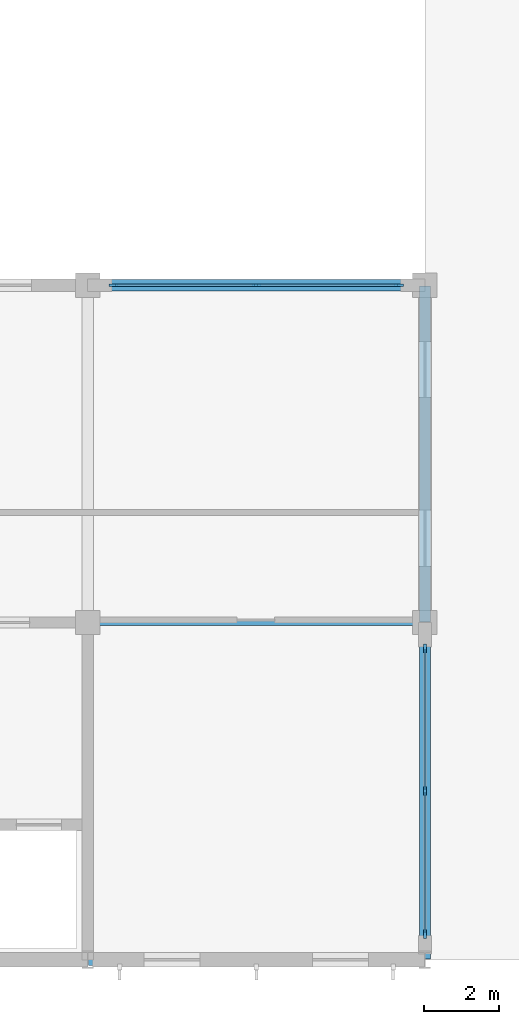
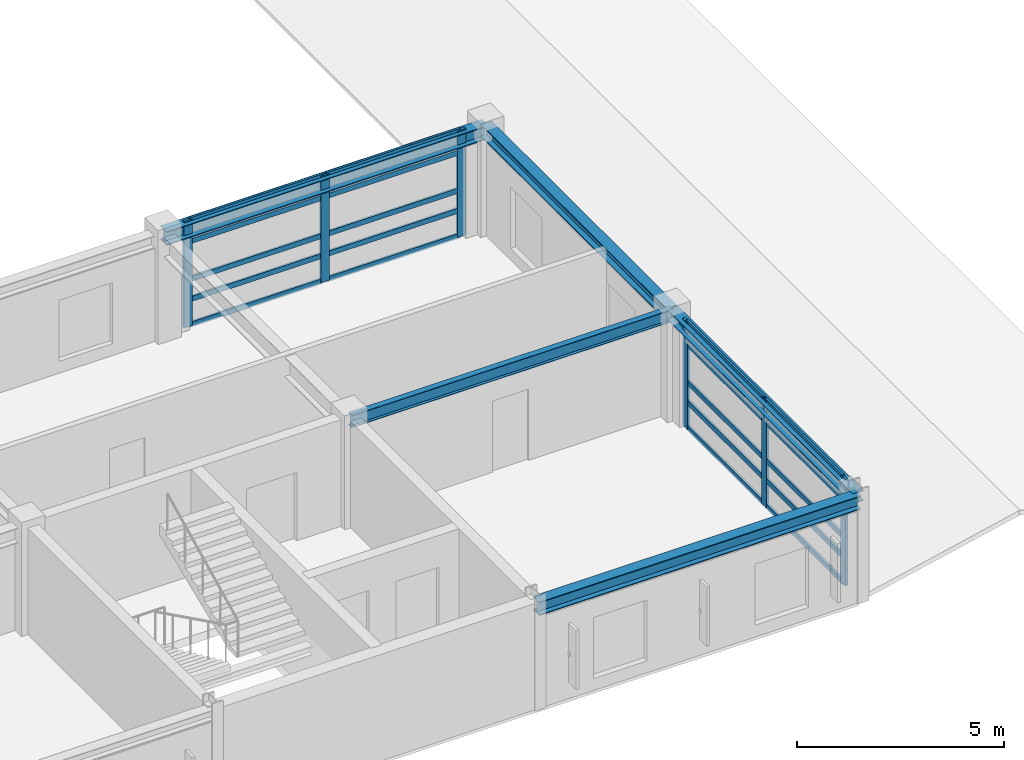
# One storey, part 19 of 91: 26 members, 5 beams, 2 elements without a shape of their own.
"""IFC4 building model written with IfcOpenShell, lengths in metres."""

from ifc_helpers import new_model, si_unit, direction, frame, origin, origin_2d, place, context, subcontext, project, spatial, rectangle, i_section, extrude, material, material_profile, profile_set, type_object, element, aggregate, save


model = new_model("IFC4")

# Units and contexts
model_context = context("Model", 3, precision=1e-05, world=origin(), true_north=direction((0.0, 1.0)))
body_context = subcontext(model_context, "Body", "Model", "MODEL_VIEW")
ifc_project = project(units=[si_unit("LENGTHUNIT", "METRE"), si_unit("AREAUNIT", "SQUARE_METRE"), si_unit("VOLUMEUNIT", "CUBIC_METRE"), si_unit("PLANEANGLEUNIT", "RADIAN"), si_unit("MASSUNIT", "GRAM", prefix="KILO")], contexts=[model_context])

# Site, building, storey
site_placement = place(None, origin())
site = spatial("IfcSite", under=ifc_project, at=site_placement, CompositionType="ELEMENT")
building_placement = place(site_placement, origin())
building = spatial("IfcBuilding", under=site, at=building_placement, Name="Palais des Congres Ocreval", CompositionType="ELEMENT")
storey_placement = place(building_placement, frame((0.0, 0.0, 8.159912109375)))
storey = spatial("IfcBuildingStorey", under=building, at=storey_placement, Name="L02", CompositionType="ELEMENT", Elevation=8.159912109375)

# Beam
ifc_material_1 = material(Name="Steel S355", Category="steel")
ifc_material_profile_1 = material_profile(ifc_material_1, i_section(OverallWidth=0.169921875, OverallDepth=0.360107421875, WebThickness=0.008056640625, FlangeThickness=0.0126953125, at=origin_2d()), Name="IPE 360")
ifc_profile_set_1 = profile_set([ifc_material_profile_1], Name="Steel S355")
beam_type_1 = type_object("IfcBeamType", Name="Composite Beam IPE 360 Steel S355", PredefinedType="BEAM", material=ifc_profile_set_1)
beam_1_placement = place(storey_placement, frame((63.02001953125, 9.0, 2.920166015625), z_axis=(1.0, 0.0, 0.0), x_axis=(0.0, 1.0, 0.0)))
element("IfcBeam", 1, at=beam_1_placement, inside=storey, type_object=beam_type_1, Name="Beam B01 L02", PredefinedType="BEAM", context=body_context, shape_type="SweptSolid", body=[
    extrude(i_section(OverallWidth=0.169921875, OverallDepth=0.360107421875, WebThickness=0.008056640625, FlangeThickness=0.0126953125, at=origin_2d()), origin(), (0.0, 0.0, 1.0), 8.9599609375),
])

# Curtain wall, members
ifc_material_2 = material(Name="Anodized bronze aluminium and low-E glass", Category="glass")
curtain_wall_type = type_object("IfcCurtainWallType", Name="Unitised Curtain Wall 7900x3120", PredefinedType="USERDEFINED", material=ifc_material_2)
curtain_wall_1_placement = place(storey_placement, origin())
curtain_wall_1 = element("IfcCurtainWall", 2, at=curtain_wall_1_placement, inside=storey, type_object=curtain_wall_type, Name="Unitised Curtain Wall CW03 L02", ObjectType="UNITISED CURTAIN WALL", PredefinedType="USERDEFINED")
ifc_material_3 = material(Name="Anodized bronze aluminium", Category="aluminium")
ifc_material_profile_2 = material_profile(ifc_material_3, rectangle(XDim=0.074951171875, YDim=0.239990234375, at=origin_2d()), Name="ALU 75x240")
ifc_profile_set_2 = profile_set([ifc_material_profile_2], Name="Anodized bronze aluminium")
member_type_1 = type_object("IfcMemberType", Name="Curtain Wall Mullion ALU 75x240", PredefinedType="MULLION", material=ifc_profile_set_2)
member_1_placement = place(storey_placement, frame((72.0, 8.3125, 0.0), z_axis=(0.0, 0.0, 1.0), x_axis=(1.0, 0.0, 0.0)))
member_1 = element("IfcMember", 3, at=member_1_placement, type_object=member_type_1, Name="Curtain Wall Mullion ML01", PredefinedType="MULLION", context=body_context, shape_type="SweptSolid", body=[
    extrude(rectangle(XDim=0.074951171875, YDim=0.239990234375, at=origin_2d()), origin(), (0.0, 0.0, 1.0), 3.14013671875),
])
member_2_placement = place(storey_placement, frame((72.0, 4.5, 0.0), z_axis=(0.0, 0.0, 1.0), x_axis=(1.0, 0.0, 0.0)))
member_2 = element("IfcMember", 4, at=member_2_placement, type_object=member_type_1, Name="Curtain Wall Mullion ML01", PredefinedType="MULLION", context=body_context, shape_type="SweptSolid", body=[
    extrude(rectangle(XDim=0.074951171875, YDim=0.239990234375, at=origin_2d()), origin(), (0.0, 0.0, 1.0), 3.14013671875),
])
member_3_placement = place(storey_placement, frame((72.0, 0.6875, 0.0), z_axis=(0.0, 0.0, 1.0), x_axis=(1.0, 0.0, 0.0)))
member_3 = element("IfcMember", 5, at=member_3_placement, type_object=member_type_1, Name="Curtain Wall Mullion ML01", PredefinedType="MULLION", context=body_context, shape_type="SweptSolid", body=[
    extrude(rectangle(XDim=0.074951171875, YDim=0.239990234375, at=origin_2d()), origin(), (0.0, 0.0, 1.0), 3.14013671875),
])

curtain_wall_2_placement = place(storey_placement, origin())
curtain_wall_2 = element("IfcCurtainWall", 6, at=curtain_wall_2_placement, inside=storey, type_object=curtain_wall_type, Name="Unitised Curtain Wall CW03 L02", ObjectType="UNITISED CURTAIN WALL", PredefinedType="USERDEFINED")
member_4_placement = place(storey_placement, frame((63.6875, 18.0, 0.0), z_axis=(0.0, 0.0, 1.0), x_axis=(0.0, 1.0, 0.0)))
member_4 = element("IfcMember", 7, at=member_4_placement, type_object=member_type_1, Name="Curtain Wall Mullion ML01", PredefinedType="MULLION", context=body_context, shape_type="SweptSolid", body=[
    extrude(rectangle(XDim=0.074951171875, YDim=0.239990234375, at=origin_2d()), origin(), (0.0, 0.0, 1.0), 3.14013671875),
])
member_5_placement = place(storey_placement, frame((67.5, 18.0, 0.0), z_axis=(0.0, 0.0, 1.0), x_axis=(0.0, 1.0, 0.0)))
member_5 = element("IfcMember", 8, at=member_5_placement, type_object=member_type_1, Name="Curtain Wall Mullion ML01", PredefinedType="MULLION", context=body_context, shape_type="SweptSolid", body=[
    extrude(rectangle(XDim=0.074951171875, YDim=0.239990234375, at=origin_2d()), origin(), (0.0, 0.0, 1.0), 3.14013671875),
])
member_6_placement = place(storey_placement, frame((71.3125, 18.0, 0.0), z_axis=(0.0, 0.0, 1.0), x_axis=(0.0, 1.0, 0.0)))
member_6 = element("IfcMember", 9, at=member_6_placement, type_object=member_type_1, Name="Curtain Wall Mullion ML01", PredefinedType="MULLION", context=body_context, shape_type="SweptSolid", body=[
    extrude(rectangle(XDim=0.074951171875, YDim=0.239990234375, at=origin_2d()), origin(), (0.0, 0.0, 1.0), 3.14013671875),
])

# Member
ifc_material_profile_3 = material_profile(ifc_material_3, rectangle(XDim=0.06005859375, YDim=0.14990234375, at=origin_2d()), Name="ALU 60x150")
ifc_profile_set_3 = profile_set([ifc_material_profile_3], Name="Anodized bronze aluminium")
member_type_2 = type_object("IfcMemberType", Name="Curtain Wall Transom ALU 60x150", PredefinedType="USERDEFINED", material=ifc_profile_set_3)
member_7_placement = place(storey_placement, frame((72.0, 8.27490234375, 0.030029296875), z_axis=(0.0, -1.0, 0.0), x_axis=(1.0, 0.0, 0.0)))
member_7 = element("IfcMember", 10, at=member_7_placement, type_object=member_type_2, Name="Curtain Wall Transom TR01", ObjectType="TRANSOM", PredefinedType="USERDEFINED", context=body_context, shape_type="SweptSolid", body=[
    extrude(rectangle(XDim=0.06005859375, YDim=0.14990234375, at=origin_2d()), origin(), (0.0, 0.0, 1.0), 3.7373046875),
])

member_8_placement = place(storey_placement, frame((72.0, 8.27490234375, 0.780029296875), z_axis=(0.0, -1.0, 0.0), x_axis=(1.0, 0.0, 0.0)))
member_8 = element("IfcMember", 11, at=member_8_placement, type_object=member_type_2, Name="Curtain Wall Transom TR01", ObjectType="TRANSOM", PredefinedType="USERDEFINED", context=body_context, shape_type="SweptSolid", body=[
    extrude(rectangle(XDim=0.06005859375, YDim=0.14990234375, at=origin_2d()), origin(), (0.0, 0.0, 1.0), 3.7373046875),
])

member_9_placement = place(storey_placement, frame((72.0, 8.27490234375, 1.36962890625), z_axis=(0.0, -1.0, 0.0), x_axis=(1.0, 0.0, 0.0)))
member_9 = element("IfcMember", 12, at=member_9_placement, type_object=member_type_2, Name="Curtain Wall Transom TR01", ObjectType="TRANSOM", PredefinedType="USERDEFINED", context=body_context, shape_type="SweptSolid", body=[
    extrude(rectangle(XDim=0.06005859375, YDim=0.14990234375, at=origin_2d()), origin(), (0.0, 0.0, 1.0), 3.7373046875),
])

member_10_placement = place(storey_placement, frame((72.0, 8.27490234375, 2.489990234375), z_axis=(0.0, -1.0, 0.0), x_axis=(1.0, 0.0, 0.0)))
member_10 = element("IfcMember", 13, at=member_10_placement, type_object=member_type_2, Name="Curtain Wall Transom TR01", ObjectType="TRANSOM", PredefinedType="USERDEFINED", context=body_context, shape_type="SweptSolid", body=[
    extrude(rectangle(XDim=0.06005859375, YDim=0.14990234375, at=origin_2d()), origin(), (0.0, 0.0, 1.0), 3.7373046875),
])

member_11_placement = place(storey_placement, frame((72.0, 8.27490234375, 3.110107421875), z_axis=(0.0, -1.0, 0.0), x_axis=(1.0, 0.0, 0.0)))
member_11 = element("IfcMember", 14, at=member_11_placement, type_object=member_type_2, Name="Curtain Wall Transom TR01", ObjectType="TRANSOM", PredefinedType="USERDEFINED", context=body_context, shape_type="SweptSolid", body=[
    extrude(rectangle(XDim=0.06005859375, YDim=0.14990234375, at=origin_2d()), origin(), (0.0, 0.0, 1.0), 3.7373046875),
])

member_12_placement = place(storey_placement, frame((72.0, 4.46240234375, 0.030029296875), z_axis=(0.0, -1.0, 0.0), x_axis=(1.0, 0.0, 0.0)))
member_12 = element("IfcMember", 15, at=member_12_placement, type_object=member_type_2, Name="Curtain Wall Transom TR01", ObjectType="TRANSOM", PredefinedType="USERDEFINED", context=body_context, shape_type="SweptSolid", body=[
    extrude(rectangle(XDim=0.06005859375, YDim=0.14990234375, at=origin_2d()), origin(), (0.0, 0.0, 1.0), 3.7373046875),
])

member_13_placement = place(storey_placement, frame((72.0, 4.46240234375, 0.780029296875), z_axis=(0.0, -1.0, 0.0), x_axis=(1.0, 0.0, 0.0)))
member_13 = element("IfcMember", 16, at=member_13_placement, type_object=member_type_2, Name="Curtain Wall Transom TR01", ObjectType="TRANSOM", PredefinedType="USERDEFINED", context=body_context, shape_type="SweptSolid", body=[
    extrude(rectangle(XDim=0.06005859375, YDim=0.14990234375, at=origin_2d()), origin(), (0.0, 0.0, 1.0), 3.7373046875),
])

member_14_placement = place(storey_placement, frame((72.0, 4.46240234375, 1.36962890625), z_axis=(0.0, -1.0, 0.0), x_axis=(1.0, 0.0, 0.0)))
member_14 = element("IfcMember", 17, at=member_14_placement, type_object=member_type_2, Name="Curtain Wall Transom TR01", ObjectType="TRANSOM", PredefinedType="USERDEFINED", context=body_context, shape_type="SweptSolid", body=[
    extrude(rectangle(XDim=0.06005859375, YDim=0.14990234375, at=origin_2d()), origin(), (0.0, 0.0, 1.0), 3.7373046875),
])

member_15_placement = place(storey_placement, frame((72.0, 4.46240234375, 2.489990234375), z_axis=(0.0, -1.0, 0.0), x_axis=(1.0, 0.0, 0.0)))
member_15 = element("IfcMember", 18, at=member_15_placement, type_object=member_type_2, Name="Curtain Wall Transom TR01", ObjectType="TRANSOM", PredefinedType="USERDEFINED", context=body_context, shape_type="SweptSolid", body=[
    extrude(rectangle(XDim=0.06005859375, YDim=0.14990234375, at=origin_2d()), origin(), (0.0, 0.0, 1.0), 3.7373046875),
])

member_16_placement = place(storey_placement, frame((72.0, 4.46240234375, 3.110107421875), z_axis=(0.0, -1.0, 0.0), x_axis=(1.0, 0.0, 0.0)))
member_16 = element("IfcMember", 19, at=member_16_placement, type_object=member_type_2, Name="Curtain Wall Transom TR01", ObjectType="TRANSOM", PredefinedType="USERDEFINED", context=body_context, shape_type="SweptSolid", body=[
    extrude(rectangle(XDim=0.06005859375, YDim=0.14990234375, at=origin_2d()), origin(), (0.0, 0.0, 1.0), 3.7373046875),
])

aggregate(curtain_wall_1, [member_1, member_2, member_3, member_7, member_8, member_9, member_10, member_11, member_12, member_13, member_14, member_15, member_16])

member_17_placement = place(storey_placement, frame((63.72509765625, 18.0, 0.030029296875), z_axis=(1.0, 0.0, 0.0), x_axis=(0.0, 1.0, 0.0)))
member_17 = element("IfcMember", 20, at=member_17_placement, type_object=member_type_2, Name="Curtain Wall Transom TR01", ObjectType="TRANSOM", PredefinedType="USERDEFINED", context=body_context, shape_type="SweptSolid", body=[
    extrude(rectangle(XDim=0.06005859375, YDim=0.14990234375, at=origin_2d()), origin(), (0.0, 0.0, 1.0), 3.7373046875),
])

member_18_placement = place(storey_placement, frame((63.72509765625, 18.0, 0.780029296875), z_axis=(1.0, 0.0, 0.0), x_axis=(0.0, 1.0, 0.0)))
member_18 = element("IfcMember", 21, at=member_18_placement, type_object=member_type_2, Name="Curtain Wall Transom TR01", ObjectType="TRANSOM", PredefinedType="USERDEFINED", context=body_context, shape_type="SweptSolid", body=[
    extrude(rectangle(XDim=0.06005859375, YDim=0.14990234375, at=origin_2d()), origin(), (0.0, 0.0, 1.0), 3.7373046875),
])

member_19_placement = place(storey_placement, frame((63.72509765625, 18.0, 1.36962890625), z_axis=(1.0, 0.0, 0.0), x_axis=(0.0, 1.0, 0.0)))
member_19 = element("IfcMember", 22, at=member_19_placement, type_object=member_type_2, Name="Curtain Wall Transom TR01", ObjectType="TRANSOM", PredefinedType="USERDEFINED", context=body_context, shape_type="SweptSolid", body=[
    extrude(rectangle(XDim=0.06005859375, YDim=0.14990234375, at=origin_2d()), origin(), (0.0, 0.0, 1.0), 3.7373046875),
])

member_20_placement = place(storey_placement, frame((63.72509765625, 18.0, 2.489990234375), z_axis=(1.0, 0.0, 0.0), x_axis=(0.0, 1.0, 0.0)))
member_20 = element("IfcMember", 23, at=member_20_placement, type_object=member_type_2, Name="Curtain Wall Transom TR01", ObjectType="TRANSOM", PredefinedType="USERDEFINED", context=body_context, shape_type="SweptSolid", body=[
    extrude(rectangle(XDim=0.06005859375, YDim=0.14990234375, at=origin_2d()), origin(), (0.0, 0.0, 1.0), 3.7373046875),
])

member_21_placement = place(storey_placement, frame((63.72509765625, 18.0, 3.110107421875), z_axis=(1.0, 0.0, 0.0), x_axis=(0.0, 1.0, 0.0)))
member_21 = element("IfcMember", 24, at=member_21_placement, type_object=member_type_2, Name="Curtain Wall Transom TR01", ObjectType="TRANSOM", PredefinedType="USERDEFINED", context=body_context, shape_type="SweptSolid", body=[
    extrude(rectangle(XDim=0.06005859375, YDim=0.14990234375, at=origin_2d()), origin(), (0.0, 0.0, 1.0), 3.7373046875),
])

member_22_placement = place(storey_placement, frame((67.53759765625, 18.0, 0.030029296875), z_axis=(1.0, 0.0, 0.0), x_axis=(0.0, 1.0, 0.0)))
member_22 = element("IfcMember", 25, at=member_22_placement, type_object=member_type_2, Name="Curtain Wall Transom TR01", ObjectType="TRANSOM", PredefinedType="USERDEFINED", context=body_context, shape_type="SweptSolid", body=[
    extrude(rectangle(XDim=0.06005859375, YDim=0.14990234375, at=origin_2d()), origin(), (0.0, 0.0, 1.0), 3.7373046875),
])

member_23_placement = place(storey_placement, frame((67.53759765625, 18.0, 0.780029296875), z_axis=(1.0, 0.0, 0.0), x_axis=(0.0, 1.0, 0.0)))
member_23 = element("IfcMember", 26, at=member_23_placement, type_object=member_type_2, Name="Curtain Wall Transom TR01", ObjectType="TRANSOM", PredefinedType="USERDEFINED", context=body_context, shape_type="SweptSolid", body=[
    extrude(rectangle(XDim=0.06005859375, YDim=0.14990234375, at=origin_2d()), origin(), (0.0, 0.0, 1.0), 3.7373046875),
])

member_24_placement = place(storey_placement, frame((67.53759765625, 18.0, 1.36962890625), z_axis=(1.0, 0.0, 0.0), x_axis=(0.0, 1.0, 0.0)))
member_24 = element("IfcMember", 27, at=member_24_placement, type_object=member_type_2, Name="Curtain Wall Transom TR01", ObjectType="TRANSOM", PredefinedType="USERDEFINED", context=body_context, shape_type="SweptSolid", body=[
    extrude(rectangle(XDim=0.06005859375, YDim=0.14990234375, at=origin_2d()), origin(), (0.0, 0.0, 1.0), 3.7373046875),
])

member_25_placement = place(storey_placement, frame((67.53759765625, 18.0, 2.489990234375), z_axis=(1.0, 0.0, 0.0), x_axis=(0.0, 1.0, 0.0)))
member_25 = element("IfcMember", 28, at=member_25_placement, type_object=member_type_2, Name="Curtain Wall Transom TR01", ObjectType="TRANSOM", PredefinedType="USERDEFINED", context=body_context, shape_type="SweptSolid", body=[
    extrude(rectangle(XDim=0.06005859375, YDim=0.14990234375, at=origin_2d()), origin(), (0.0, 0.0, 1.0), 3.7373046875),
])

member_26_placement = place(storey_placement, frame((67.53759765625, 18.0, 3.110107421875), z_axis=(1.0, 0.0, 0.0), x_axis=(0.0, 1.0, 0.0)))
member_26 = element("IfcMember", 29, at=member_26_placement, type_object=member_type_2, Name="Curtain Wall Transom TR01", ObjectType="TRANSOM", PredefinedType="USERDEFINED", context=body_context, shape_type="SweptSolid", body=[
    extrude(rectangle(XDim=0.06005859375, YDim=0.14990234375, at=origin_2d()), origin(), (0.0, 0.0, 1.0), 3.7373046875),
])

aggregate(curtain_wall_2, [member_4, member_5, member_6, member_17, member_18, member_19, member_20, member_21, member_22, member_23, member_24, member_25, member_26])

# Beams
ifc_material_profile_4 = material_profile(ifc_material_1, i_section(OverallWidth=0.300048828125, OverallDepth=0.300048828125, WebThickness=0.010986328125, FlangeThickness=0.01904296875, at=origin_2d()), Name="HEB 300")
ifc_profile_set_4 = profile_set([ifc_material_profile_4], Name="Steel S355")
beam_type_2 = type_object("IfcBeamType", Name="Perimeter Spandrel HEB 300 Steel S355", PredefinedType="SPANDREL", material=ifc_profile_set_4)
beam_2_placement = place(storey_placement, frame((72.0, 0.02001953125, 2.9501953125), z_axis=(0.0, 1.0, 0.0), x_axis=(-1.0, 0.0, 0.0)))
element("IfcBeam", 30, at=beam_2_placement, inside=storey, type_object=beam_type_2, Name="Girder SP02 L02", PredefinedType="SPANDREL", context=body_context, shape_type="SweptSolid", body=[
    extrude(i_section(OverallWidth=0.300048828125, OverallDepth=0.300048828125, WebThickness=0.010986328125, FlangeThickness=0.01904296875, at=origin_2d()), origin(), (0.0, 0.0, 1.0), 8.9599609375),
])
ifc_material_profile_5 = material_profile(ifc_material_1, i_section(OverallWidth=0.300048828125, OverallDepth=0.360107421875, WebThickness=0.012451171875, FlangeThickness=0.0224609375, at=origin_2d()), Name="HEB 360")
ifc_profile_set_5 = profile_set([ifc_material_profile_5], Name="Steel S355")
beam_type_3 = type_object("IfcBeamType", Name="Perimeter Spandrel HEB 360 Steel S355", PredefinedType="SPANDREL", material=ifc_profile_set_5)
beam_3_placement = place(storey_placement, frame((72.0, 9.02001953125, 2.920166015625), z_axis=(0.0, 1.0, 0.0), x_axis=(-1.0, 0.0, 0.0)))
element("IfcBeam", 31, at=beam_3_placement, inside=storey, type_object=beam_type_3, Name="Girder SP03 L02", PredefinedType="SPANDREL", context=body_context, shape_type="SweptSolid", body=[
    extrude(i_section(OverallWidth=0.300048828125, OverallDepth=0.360107421875, WebThickness=0.012451171875, FlangeThickness=0.0224609375, at=origin_2d()), origin(), (0.0, 0.0, 1.0), 8.9599609375),
])
ifc_material_profile_6 = material_profile(ifc_material_1, i_section(OverallWidth=0.300048828125, OverallDepth=0.39990234375, WebThickness=0.013427734375, FlangeThickness=0.02392578125, at=origin_2d()), Name="HEB 400")
ifc_profile_set_6 = profile_set([ifc_material_profile_6], Name="Steel S355")
beam_type_4 = type_object("IfcBeamType", Name="Perimeter Spandrel HEB 400 Steel S355", PredefinedType="SPANDREL", material=ifc_profile_set_6)
for number, where, z_axis, x_axis, name in (
    (32, (63.02001953125, 0.0, 2.900146484375), (1.0, 0.0, 0.0), (0.0, 1.0, 0.0), "Beam SP04 L02"),
    (33, (63.02001953125, 18.0, 2.900146484375), (1.0, 0.0, 0.0), (0.0, 1.0, 0.0), "Beam SP04 L02"),
):
    element("IfcBeam", number, at=place(storey_placement, frame(where, z_axis=z_axis, x_axis=x_axis)), inside=storey, type_object=beam_type_4, Name=name, PredefinedType="SPANDREL", context=body_context, shape_type="SweptSolid", body=[
        extrude(i_section(OverallWidth=0.300048828125, OverallDepth=0.39990234375, WebThickness=0.013427734375, FlangeThickness=0.02392578125, at=origin_2d()), origin(), (0.0, 0.0, 1.0), 8.9599609375),
    ])

save(model, "model.ifc")
